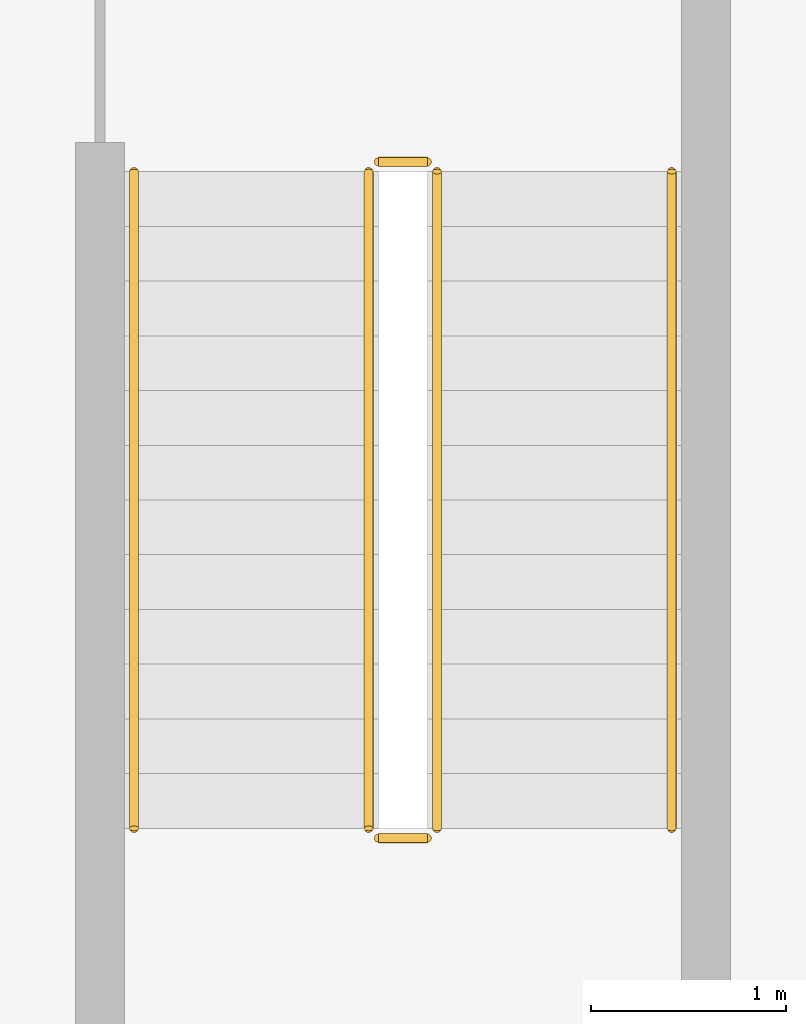
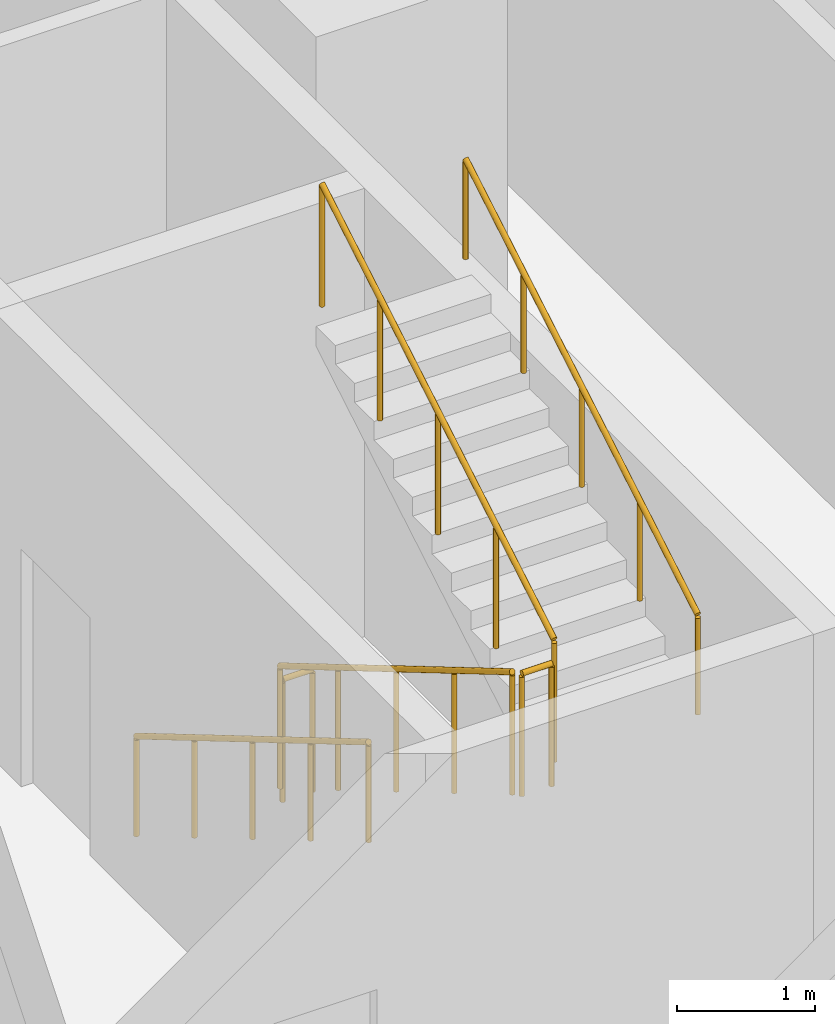
# One storey, part 23 of 28: 6 railings.
"""IFC4 building model written with IfcOpenShell, lengths in metres."""

from ifc_helpers import new_model, si_unit, direction, frame, origin, origin_2d, place, context, subcontext, project, spatial, circle, extrude, material, type_object, element, save


model = new_model("IFC4")

# Units and contexts
model_context = context("Model", 3, precision=1e-05, world=origin(), true_north=direction((0.0, 1.0)))
body_context = subcontext(model_context, "Body", "Model", "MODEL_VIEW")
ifc_project = project(units=[si_unit("LENGTHUNIT", "METRE"), si_unit("AREAUNIT", "SQUARE_METRE"), si_unit("VOLUMEUNIT", "CUBIC_METRE"), si_unit("PLANEANGLEUNIT", "RADIAN"), si_unit("MASSUNIT", "GRAM", prefix="KILO")], contexts=[model_context])

# Site, building, storey
site_placement = place(None, origin())
site = spatial("IfcSite", under=ifc_project, at=site_placement, CompositionType="ELEMENT")
building_placement = place(site_placement, origin())
building = spatial("IfcBuilding", under=site, at=building_placement, Name="Mahtab Terrace Research Tower", CompositionType="ELEMENT")
storey_placement = place(building_placement, frame((0.0, 0.0, 33.0)))
storey = spatial("IfcBuildingStorey", under=building, at=storey_placement, Name="L07", CompositionType="ELEMENT", Elevation=33.0)

# Railings
ifc_material = material(Name="Stainless steel AISI 304", Category="steel")
railing_type_1 = type_object("IfcRailingType", Name="Stair guard 1100", PredefinedType="GUARDRAIL", material=ifc_material)
railing_1_placement = place(storey_placement, frame((2.949951171875, -4.175048828125, 0.165283203125)))
element("IfcRailing", 1, at=railing_1_placement, inside=storey, type_object=railing_type_1, Name="L07 ST2 stair guard 1", PredefinedType="GUARDRAIL", context=body_context, shape_type="SweptSolid", body=[
    extrude(circle(Radius=0.02392578125, at=origin_2d()), frame((0.0, 0.0, 1.076171875), z_axis=(0.0, -0.861011212953, 0.508585972249), x_axis=(1.0, 0.0, 0.0)), (0.0, 0.0, 1.0), 3.90234375),
    extrude(circle(Radius=0.02099609375, at=origin_2d()), origin(), (0.0, 0.0, 1.0), 1.052001953125),
    extrude(circle(Radius=0.02099609375, at=origin_2d()), frame((0.0, -0.83984375, 0.49609375)), (0.0, 0.0, 1.0), 1.052001953125),
    extrude(circle(Radius=0.02099609375, at=origin_2d()), frame((0.0, -1.679931640625, 0.9921875)), (0.0, 0.0, 1.0), 1.052001953125),
    extrude(circle(Radius=0.02099609375, at=origin_2d()), frame((0.0, -2.52001953125, 1.488525390625)), (0.0, 0.0, 1.0), 1.052001953125),
    extrude(circle(Radius=0.02099609375, at=origin_2d()), frame((0.0, -3.35986328125, 1.984619140625)), (0.0, 0.0, 1.0), 1.052001953125),
])
railing_2_placement = place(storey_placement, frame((3.0, -7.5849609375, 2.14990234375)))
element("IfcRailing", 2, at=railing_2_placement, inside=storey, type_object=railing_type_1, Name="L07 ST2 stair guard 2", PredefinedType="GUARDRAIL", context=body_context, shape_type="SweptSolid", body=[
    extrude(circle(Radius=0.02392578125, at=origin_2d()), frame((0.0, 0.0, 1.076171875), z_axis=(1.0, 0.0, 0.0), x_axis=(0.0, 1.0, 0.0)), (0.0, 0.0, 1.0), 0.25),
    extrude(circle(Radius=0.02099609375, at=origin_2d()), origin(), (0.0, 0.0, 1.0), 1.052001953125),
    extrude(circle(Radius=0.02099609375, at=origin_2d()), frame((0.25, 0.0, 0.0)), (0.0, 0.0, 1.0), 1.052001953125),
])
railing_3_placement = place(storey_placement, frame((3.300048828125, -7.534912109375, 2.3154296875)))
element("IfcRailing", 3, at=railing_3_placement, inside=storey, type_object=railing_type_1, Name="L07 ST2 stair guard 3", PredefinedType="GUARDRAIL", context=body_context, shape_type="SweptSolid", body=[
    extrude(circle(Radius=0.02392578125, at=origin_2d()), frame((0.0, 0.0, 1.076171875), z_axis=(0.0, 0.861011212953, 0.508585972249), x_axis=(-1.0, 0.0, 0.0)), (0.0, 0.0, 1.0), 3.90234375),
    extrude(circle(Radius=0.02099609375, at=origin_2d()), origin(), (0.0, 0.0, 1.0), 1.052001953125),
    extrude(circle(Radius=0.02099609375, at=origin_2d()), frame((0.0, 0.83984375, 0.49609375)), (0.0, 0.0, 1.0), 1.052001953125),
    extrude(circle(Radius=0.02099609375, at=origin_2d()), frame((0.0, 1.679931640625, 0.9921875)), (0.0, 0.0, 1.0), 1.052001953125),
    extrude(circle(Radius=0.02099609375, at=origin_2d()), frame((0.0, 2.52001953125, 1.488525390625)), (0.0, 0.0, 1.0), 1.052001953125),
    extrude(circle(Radius=0.02099609375, at=origin_2d()), frame((0.0, 3.35986328125, 1.984619140625)), (0.0, 0.0, 1.0), 1.052001953125),
])
railing_4_placement = place(storey_placement, frame((3.0, -4.125, 0.0)))
element("IfcRailing", 4, at=railing_4_placement, inside=storey, type_object=railing_type_1, Name="L07 ST2 stair guard 4", PredefinedType="GUARDRAIL", context=body_context, shape_type="SweptSolid", body=[
    extrude(circle(Radius=0.02392578125, at=origin_2d()), frame((0.0, 0.0, 1.076171875), z_axis=(1.0, 0.0, 0.0), x_axis=(0.0, 1.0, 0.0)), (0.0, 0.0, 1.0), 0.25),
    extrude(circle(Radius=0.02099609375, at=origin_2d()), origin(), (0.0, 0.0, 1.0), 1.052001953125),
    extrude(circle(Radius=0.02099609375, at=origin_2d()), frame((0.25, 0.0, 0.0)), (0.0, 0.0, 1.0), 1.052001953125),
])
railing_type_2 = type_object("IfcRailingType", Name="Stair handrail 900", PredefinedType="HANDRAIL", material=ifc_material)
railing_5_placement = place(storey_placement, frame((1.75, -4.175048828125, 0.165283203125)))
element("IfcRailing", 5, at=railing_5_placement, inside=storey, type_object=railing_type_2, Name="L07 ST2 stair handrail 1", PredefinedType="HANDRAIL", context=body_context, shape_type="SweptSolid", body=[
    extrude(circle(Radius=0.02392578125, at=origin_2d()), frame((0.0, 0.0, 0.8759765625), z_axis=(0.0, -0.861011212953, 0.508585972249), x_axis=(1.0, 0.0, 0.0)), (0.0, 0.0, 1.0), 3.90234375),
    extrude(circle(Radius=0.02099609375, at=origin_2d()), origin(), (0.0, 0.0, 1.0), 0.851806640625),
    extrude(circle(Radius=0.02099609375, at=origin_2d()), frame((0.0, -0.83984375, 0.49609375)), (0.0, 0.0, 1.0), 0.851806640625),
    extrude(circle(Radius=0.02099609375, at=origin_2d()), frame((0.0, -1.679931640625, 0.9921875)), (0.0, 0.0, 1.0), 0.851806640625),
    extrude(circle(Radius=0.02099609375, at=origin_2d()), frame((0.0, -2.52001953125, 1.488525390625)), (0.0, 0.0, 1.0), 0.851806640625),
    extrude(circle(Radius=0.02099609375, at=origin_2d()), frame((0.0, -3.35986328125, 1.984619140625)), (0.0, 0.0, 1.0), 0.851806640625),
])
railing_6_placement = place(storey_placement, frame((4.5, -7.534912109375, 2.3154296875)))
element("IfcRailing", 6, at=railing_6_placement, inside=storey, type_object=railing_type_2, Name="L07 ST2 stair handrail 2", PredefinedType="HANDRAIL", context=body_context, shape_type="SweptSolid", body=[
    extrude(circle(Radius=0.02392578125, at=origin_2d()), frame((0.0, 0.0, 0.8759765625), z_axis=(0.0, 0.861011212953, 0.508585972249), x_axis=(-1.0, 0.0, 0.0)), (0.0, 0.0, 1.0), 3.90234375),
    extrude(circle(Radius=0.02099609375, at=origin_2d()), origin(), (0.0, 0.0, 1.0), 0.851806640625),
    extrude(circle(Radius=0.02099609375, at=origin_2d()), frame((0.0, 0.83984375, 0.49609375)), (0.0, 0.0, 1.0), 0.851806640625),
    extrude(circle(Radius=0.02099609375, at=origin_2d()), frame((0.0, 1.679931640625, 0.9921875)), (0.0, 0.0, 1.0), 0.851806640625),
    extrude(circle(Radius=0.02099609375, at=origin_2d()), frame((0.0, 2.52001953125, 1.488525390625)), (0.0, 0.0, 1.0), 0.851806640625),
    extrude(circle(Radius=0.02099609375, at=origin_2d()), frame((0.0, 3.35986328125, 1.984619140625)), (0.0, 0.0, 1.0), 0.851806640625),
])

save(model, "model.ifc")
